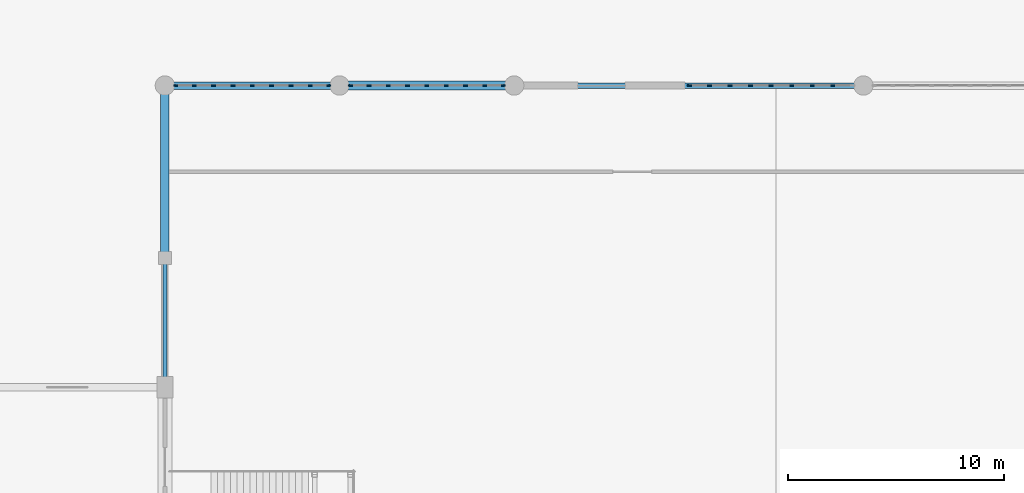
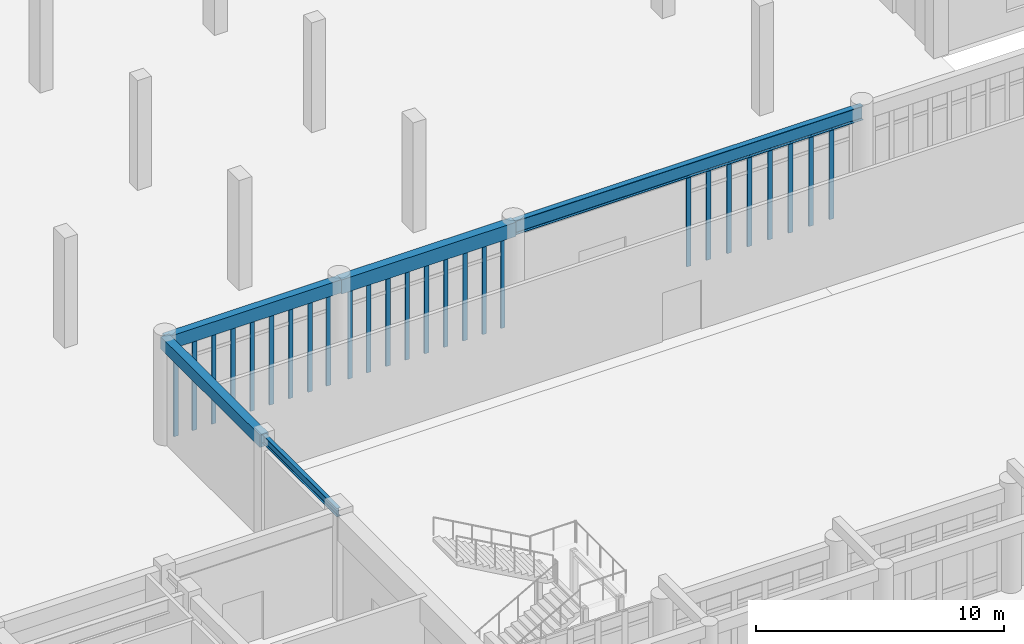
# One storey, part 10 of 62: 26 members, 5 beams, 3 elements without a shape of their own.
"""IFC4 building model written with IfcOpenShell, lengths in metres."""

from ifc_helpers import new_model, si_unit, direction, frame, origin, origin_2d, place, context, subcontext, project, spatial, rectangle, i_section, extrude, material, material_profile, profile_set, type_object, element, aggregate, save


model = new_model("IFC4")

# Units and contexts
model_context = context("Model", 3, precision=1e-05, world=origin(), true_north=direction((0.0, 1.0)))
body_context = subcontext(model_context, "Body", "Model", "MODEL_VIEW")
ifc_project = project(units=[si_unit("LENGTHUNIT", "METRE"), si_unit("AREAUNIT", "SQUARE_METRE"), si_unit("VOLUMEUNIT", "CUBIC_METRE"), si_unit("PLANEANGLEUNIT", "RADIAN"), si_unit("MASSUNIT", "GRAM", prefix="KILO")], contexts=[model_context])

# Site, building, storey
site_placement = place(None, origin())
site = spatial("IfcSite", under=ifc_project, at=site_placement, CompositionType="ELEMENT")
building_placement = place(site_placement, origin())
building = spatial("IfcBuilding", under=site, at=building_placement, Name="Tarnveldt Square Police Headquarters", CompositionType="ELEMENT")
storey_placement = place(building_placement, origin())
storey = spatial("IfcBuildingStorey", under=building, at=storey_placement, Name="L00", CompositionType="ELEMENT", Elevation=0.0)

# Beams
ifc_material_1 = material(Name="Concrete 40 MPa", Category="concrete")
ifc_material_profile_1 = material_profile(ifc_material_1, rectangle(XDim=0.39990234375, YDim=0.60009765625, at=origin_2d()), Name="RC-B400x600")
ifc_profile_set_1 = profile_set([ifc_material_profile_1], Name="Concrete 40 MPa")
beam_type_1 = type_object("IfcBeamType", Name="BM-RC400x600", PredefinedType="BEAM", material=ifc_profile_set_1)
beam_1_placement = place(storey_placement, frame((64.800048828125, 40.0, 4.820068359375), z_axis=(0.0, 1.0, 0.0), x_axis=(-1.0, 0.0, 0.0)))
element("IfcBeam", 1, at=beam_1_placement, inside=storey, type_object=beam_type_1, Name="L01 Grid Girder Y-0401", PredefinedType="BEAM", context=body_context, shape_type="SweptSolid", body=[
    extrude(rectangle(XDim=0.39990234375, YDim=0.60009765625, at=origin_2d()), origin(), (0.0, 0.0, 1.0), 8.0),
])
ifc_material_profile_2 = material_profile(ifc_material_1, rectangle(XDim=0.39990234375, YDim=0.699951171875, at=origin_2d()), Name="RC-B400x700")
ifc_profile_set_2 = profile_set([ifc_material_profile_2], Name="Concrete 40 MPa")
beam_type_2 = type_object("IfcBeamType", Name="BM-RC400x700", PredefinedType="BEAM", material=ifc_profile_set_2)
beam_2_placement = place(storey_placement, frame((72.89990234375, 48.0, 4.77001953125), z_axis=(1.0, 0.0, 0.0), x_axis=(0.0, 1.0, 0.0)))
element("IfcBeam", 2, at=beam_2_placement, inside=storey, type_object=beam_type_2, Name="L01 Grid Girder X-0275", PredefinedType="BEAM", context=body_context, shape_type="SweptSolid", body=[
    extrude(rectangle(XDim=0.39990234375, YDim=0.699951171875, at=origin_2d()), origin(), (0.0, 0.0, 1.0), 8.10009765625),
])
ifc_material_profile_3 = material_profile(ifc_material_1, rectangle(XDim=0.35009765625, YDim=0.64990234375, at=origin_2d()), Name="RC-SP350x650")
ifc_profile_set_3 = profile_set([ifc_material_profile_3], Name="Concrete 40 MPa")
beam_type_3 = type_object("IfcBeamType", Name="BM-SP350x650", PredefinedType="SPANDREL", material=ifc_profile_set_3)
beam_3_placement = place(storey_placement, frame((64.800048828125, 48.0, 4.794921875), z_axis=(1.0, 0.0, 0.0), x_axis=(0.0, 1.0, 0.0)))
element("IfcBeam", 3, at=beam_3_placement, inside=storey, type_object=beam_type_3, Name="L01 Grid Girder X-0274", PredefinedType="SPANDREL", context=body_context, shape_type="SweptSolid", body=[
    extrude(rectangle(XDim=0.35009765625, YDim=0.64990234375, at=origin_2d()), origin(), (0.0, 0.0, 1.0), 8.099853515625),
])
ifc_material_2 = material(Name="Steel 350W", Category="steel")
ifc_material_profile_4 = material_profile(ifc_material_2, i_section(OverallWidth=0.180908203125, OverallDepth=0.4169921875, WebThickness=0.010986328125, FlangeThickness=0.018310546875, FilletRadius=0.01611328125, at=origin_2d()), Name="W410x85")
ifc_profile_set_4 = profile_set([ifc_material_profile_4], Name="Steel 350W")
beam_type_4 = type_object("IfcBeamType", Name="BM-W410x85", PredefinedType="BEAM", material=ifc_profile_set_4)
beam_4_placement = place(storey_placement, frame((64.800048828125, 34.0, 4.91162109375), z_axis=(0.0, 1.0, 0.0), x_axis=(-1.0, 0.0, 0.0)))
element("IfcBeam", 4, at=beam_4_placement, inside=storey, type_object=beam_type_4, Name="L01 Grid Girder Y-0400", PredefinedType="BEAM", context=body_context, shape_type="SweptSolid", body=[
    extrude(i_section(OverallWidth=0.180908203125, OverallDepth=0.4169921875, WebThickness=0.010986328125, FlangeThickness=0.018310546875, FilletRadius=0.01611328125, at=origin_2d()), origin(), (0.0, 0.0, 1.0), 6.0),
])
ifc_material_profile_5 = material_profile(ifc_material_2, i_section(OverallWidth=0.25390625, OverallDepth=0.68798828125, WebThickness=0.01318359375, FlangeThickness=0.02099609375, FilletRadius=0.02001953125, at=origin_2d()), Name="W690x152")
ifc_profile_set_5 = profile_set([ifc_material_profile_5], Name="Steel 350W")
beam_type_5 = type_object("IfcBeamType", Name="BM-W690x152", PredefinedType="BEAM", material=ifc_profile_set_5)
beam_5_placement = place(storey_placement, frame((81.0, 48.0, 4.77587890625), z_axis=(1.0, 0.0, 0.0), x_axis=(0.0, 1.0, 0.0)))
element("IfcBeam", 5, at=beam_5_placement, inside=storey, type_object=beam_type_5, Name="L01 Grid Girder X-0276", PredefinedType="BEAM", context=body_context, shape_type="SweptSolid", body=[
    extrude(i_section(OverallWidth=0.25390625, OverallDepth=0.68798828125, WebThickness=0.01318359375, FlangeThickness=0.02099609375, FilletRadius=0.02001953125, at=origin_2d()), origin(), (0.0, 0.0, 1.0), 16.199951171875),
])

# Curtain wall, members
ifc_material_3 = material(Name="Triple-glazed low-e laminated vision glass", Category="glass")
curtain_wall_type_1 = type_object("IfcCurtainWallType", Name="CW-CT-717x446", PredefinedType="USERDEFINED", material=ifc_material_3)
curtain_wall_1_placement = place(storey_placement, origin())
curtain_wall_1 = element("IfcCurtainWall", 6, at=curtain_wall_1_placement, inside=storey, type_object=curtain_wall_type_1, Name="L00 Curtain Wall CW-L00-014", ObjectType="GLAZED CURTAIN WALL", PredefinedType="USERDEFINED")
ifc_material_4 = material(Name="Thermally broken anodised aluminium 6063-T6", Category="aluminium")
ifc_material_profile_6 = material_profile(ifc_material_4, rectangle(XDim=0.074951171875, YDim=0.199951171875, at=origin_2d()), Name="CW-M75x200")
ifc_profile_set_6 = profile_set([ifc_material_profile_6], Name="Thermally broken anodised aluminium 6063-T6")
member_type = type_object("IfcMemberType", Name="CWM-75x200", PredefinedType="MULLION", material=ifc_profile_set_6)
member_1_placement = place(storey_placement, frame((65.302490234375, 48.0, 0.0), z_axis=(0.0, 0.0, 1.0), x_axis=(0.0, 1.0, 0.0)))
member_1 = element("IfcMember", 7, at=member_1_placement, type_object=member_type, Name="CW-CT06 mullion 1", PredefinedType="MULLION", context=body_context, shape_type="SweptSolid", body=[
    extrude(rectangle(XDim=0.074951171875, YDim=0.199951171875, at=origin_2d()), origin(), (0.0, 0.0, 1.0), 4.4619140625),
])
member_2_placement = place(storey_placement, frame((66.1611328125, 48.0, 0.0), z_axis=(0.0, 0.0, 1.0), x_axis=(0.0, 1.0, 0.0)))
member_2 = element("IfcMember", 8, at=member_2_placement, type_object=member_type, Name="CW-CT06 mullion 2", PredefinedType="MULLION", context=body_context, shape_type="SweptSolid", body=[
    extrude(rectangle(XDim=0.074951171875, YDim=0.199951171875, at=origin_2d()), origin(), (0.0, 0.0, 1.0), 4.4619140625),
])
member_3_placement = place(storey_placement, frame((67.0576171875, 48.0, 0.0), z_axis=(0.0, 0.0, 1.0), x_axis=(0.0, 1.0, 0.0)))
member_3 = element("IfcMember", 9, at=member_3_placement, type_object=member_type, Name="CW-CT06 mullion 3", PredefinedType="MULLION", context=body_context, shape_type="SweptSolid", body=[
    extrude(rectangle(XDim=0.074951171875, YDim=0.199951171875, at=origin_2d()), origin(), (0.0, 0.0, 1.0), 4.4619140625),
])
member_4_placement = place(storey_placement, frame((67.953857421875, 48.0, 0.0), z_axis=(0.0, 0.0, 1.0), x_axis=(0.0, 1.0, 0.0)))
member_4 = element("IfcMember", 10, at=member_4_placement, type_object=member_type, Name="CW-CT06 mullion 4", PredefinedType="MULLION", context=body_context, shape_type="SweptSolid", body=[
    extrude(rectangle(XDim=0.074951171875, YDim=0.199951171875, at=origin_2d()), origin(), (0.0, 0.0, 1.0), 4.4619140625),
])
member_5_placement = place(storey_placement, frame((68.85009765625, 48.0, 0.0), z_axis=(0.0, 0.0, 1.0), x_axis=(0.0, 1.0, 0.0)))
member_5 = element("IfcMember", 11, at=member_5_placement, type_object=member_type, Name="CW-CT06 mullion 5", PredefinedType="MULLION", context=body_context, shape_type="SweptSolid", body=[
    extrude(rectangle(XDim=0.074951171875, YDim=0.199951171875, at=origin_2d()), origin(), (0.0, 0.0, 1.0), 4.4619140625),
])
member_6_placement = place(storey_placement, frame((69.746337890625, 48.0, 0.0), z_axis=(0.0, 0.0, 1.0), x_axis=(0.0, 1.0, 0.0)))
member_6 = element("IfcMember", 12, at=member_6_placement, type_object=member_type, Name="CW-CT06 mullion 6", PredefinedType="MULLION", context=body_context, shape_type="SweptSolid", body=[
    extrude(rectangle(XDim=0.074951171875, YDim=0.199951171875, at=origin_2d()), origin(), (0.0, 0.0, 1.0), 4.4619140625),
])
member_7_placement = place(storey_placement, frame((70.642578125, 48.0, 0.0), z_axis=(0.0, 0.0, 1.0), x_axis=(0.0, 1.0, 0.0)))
member_7 = element("IfcMember", 13, at=member_7_placement, type_object=member_type, Name="CW-CT06 mullion 7", PredefinedType="MULLION", context=body_context, shape_type="SweptSolid", body=[
    extrude(rectangle(XDim=0.074951171875, YDim=0.199951171875, at=origin_2d()), origin(), (0.0, 0.0, 1.0), 4.4619140625),
])
member_8_placement = place(storey_placement, frame((71.538818359375, 48.0, 0.0), z_axis=(0.0, 0.0, 1.0), x_axis=(0.0, 1.0, 0.0)))
member_8 = element("IfcMember", 14, at=member_8_placement, type_object=member_type, Name="CW-CT06 mullion 8", PredefinedType="MULLION", context=body_context, shape_type="SweptSolid", body=[
    extrude(rectangle(XDim=0.074951171875, YDim=0.199951171875, at=origin_2d()), origin(), (0.0, 0.0, 1.0), 4.4619140625),
])
member_9_placement = place(storey_placement, frame((72.3974609375, 48.0, 0.0), z_axis=(0.0, 0.0, 1.0), x_axis=(0.0, 1.0, 0.0)))
member_9 = element("IfcMember", 15, at=member_9_placement, type_object=member_type, Name="CW-CT06 mullion 9", PredefinedType="MULLION", context=body_context, shape_type="SweptSolid", body=[
    extrude(rectangle(XDim=0.074951171875, YDim=0.199951171875, at=origin_2d()), origin(), (0.0, 0.0, 1.0), 4.4619140625),
])
aggregate(curtain_wall_1, [member_1, member_2, member_3, member_4, member_5, member_6, member_7, member_8, member_9])

curtain_wall_type_2 = type_object("IfcCurtainWallType", Name="CW-CT-717x441", PredefinedType="USERDEFINED", material=ifc_material_3)
curtain_wall_2_placement = place(storey_placement, origin())
curtain_wall_2 = element("IfcCurtainWall", 16, at=curtain_wall_2_placement, inside=storey, type_object=curtain_wall_type_2, Name="L00 Curtain Wall CW-L00-015", ObjectType="GLAZED CURTAIN WALL", PredefinedType="USERDEFINED")
member_10_placement = place(storey_placement, frame((73.402587890625, 48.0, 0.0), z_axis=(0.0, 0.0, 1.0), x_axis=(0.0, 1.0, 0.0)))
member_10 = element("IfcMember", 17, at=member_10_placement, type_object=member_type, Name="CW-CT07 mullion 1", PredefinedType="MULLION", context=body_context, shape_type="SweptSolid", body=[
    extrude(rectangle(XDim=0.074951171875, YDim=0.199951171875, at=origin_2d()), origin(), (0.0, 0.0, 1.0), 4.412109375),
])
member_11_placement = place(storey_placement, frame((74.26123046875, 48.0, 0.0), z_axis=(0.0, 0.0, 1.0), x_axis=(0.0, 1.0, 0.0)))
member_11 = element("IfcMember", 18, at=member_11_placement, type_object=member_type, Name="CW-CT07 mullion 2", PredefinedType="MULLION", context=body_context, shape_type="SweptSolid", body=[
    extrude(rectangle(XDim=0.074951171875, YDim=0.199951171875, at=origin_2d()), origin(), (0.0, 0.0, 1.0), 4.412109375),
])
member_12_placement = place(storey_placement, frame((75.157470703125, 48.0, 0.0), z_axis=(0.0, 0.0, 1.0), x_axis=(0.0, 1.0, 0.0)))
member_12 = element("IfcMember", 19, at=member_12_placement, type_object=member_type, Name="CW-CT07 mullion 3", PredefinedType="MULLION", context=body_context, shape_type="SweptSolid", body=[
    extrude(rectangle(XDim=0.074951171875, YDim=0.199951171875, at=origin_2d()), origin(), (0.0, 0.0, 1.0), 4.412109375),
])
member_13_placement = place(storey_placement, frame((76.0537109375, 48.0, 0.0), z_axis=(0.0, 0.0, 1.0), x_axis=(0.0, 1.0, 0.0)))
member_13 = element("IfcMember", 20, at=member_13_placement, type_object=member_type, Name="CW-CT07 mullion 4", PredefinedType="MULLION", context=body_context, shape_type="SweptSolid", body=[
    extrude(rectangle(XDim=0.074951171875, YDim=0.199951171875, at=origin_2d()), origin(), (0.0, 0.0, 1.0), 4.412109375),
])
member_14_placement = place(storey_placement, frame((76.949951171875, 48.0, 0.0), z_axis=(0.0, 0.0, 1.0), x_axis=(0.0, 1.0, 0.0)))
member_14 = element("IfcMember", 21, at=member_14_placement, type_object=member_type, Name="CW-CT07 mullion 5", PredefinedType="MULLION", context=body_context, shape_type="SweptSolid", body=[
    extrude(rectangle(XDim=0.074951171875, YDim=0.199951171875, at=origin_2d()), origin(), (0.0, 0.0, 1.0), 4.412109375),
])
member_15_placement = place(storey_placement, frame((77.84619140625, 48.0, 0.0), z_axis=(0.0, 0.0, 1.0), x_axis=(0.0, 1.0, 0.0)))
member_15 = element("IfcMember", 22, at=member_15_placement, type_object=member_type, Name="CW-CT07 mullion 6", PredefinedType="MULLION", context=body_context, shape_type="SweptSolid", body=[
    extrude(rectangle(XDim=0.074951171875, YDim=0.199951171875, at=origin_2d()), origin(), (0.0, 0.0, 1.0), 4.412109375),
])
member_16_placement = place(storey_placement, frame((78.742431640625, 48.0, 0.0), z_axis=(0.0, 0.0, 1.0), x_axis=(0.0, 1.0, 0.0)))
member_16 = element("IfcMember", 23, at=member_16_placement, type_object=member_type, Name="CW-CT07 mullion 7", PredefinedType="MULLION", context=body_context, shape_type="SweptSolid", body=[
    extrude(rectangle(XDim=0.074951171875, YDim=0.199951171875, at=origin_2d()), origin(), (0.0, 0.0, 1.0), 4.412109375),
])
member_17_placement = place(storey_placement, frame((79.638671875, 48.0, 0.0), z_axis=(0.0, 0.0, 1.0), x_axis=(0.0, 1.0, 0.0)))
member_17 = element("IfcMember", 24, at=member_17_placement, type_object=member_type, Name="CW-CT07 mullion 8", PredefinedType="MULLION", context=body_context, shape_type="SweptSolid", body=[
    extrude(rectangle(XDim=0.074951171875, YDim=0.199951171875, at=origin_2d()), origin(), (0.0, 0.0, 1.0), 4.412109375),
])
member_18_placement = place(storey_placement, frame((80.49755859375, 48.0, 0.0), z_axis=(0.0, 0.0, 1.0), x_axis=(0.0, 1.0, 0.0)))
member_18 = element("IfcMember", 25, at=member_18_placement, type_object=member_type, Name="CW-CT07 mullion 9", PredefinedType="MULLION", context=body_context, shape_type="SweptSolid", body=[
    extrude(rectangle(XDim=0.074951171875, YDim=0.199951171875, at=origin_2d()), origin(), (0.0, 0.0, 1.0), 4.412109375),
])
aggregate(curtain_wall_2, [member_10, member_11, member_12, member_13, member_14, member_15, member_16, member_17, member_18])

curtain_wall_type_3 = type_object("IfcCurtainWallType", Name="CW-CT-764x442", PredefinedType="USERDEFINED", material=ifc_material_3)
curtain_wall_3_placement = place(storey_placement, origin())
curtain_wall_3 = element("IfcCurtainWall", 26, at=curtain_wall_3_placement, inside=storey, type_object=curtain_wall_type_3, Name="L00 Curtain Wall CW-L00-016", ObjectType="GLAZED CURTAIN WALL", PredefinedType="USERDEFINED")
member_19_placement = place(storey_placement, frame((89.137451171875, 48.0, 0.0), z_axis=(0.0, 0.0, 1.0), x_axis=(0.0, 1.0, 0.0)))
member_19 = element("IfcMember", 27, at=member_19_placement, type_object=member_type, Name="CW-CT08 mullion 1", PredefinedType="MULLION", context=body_context, shape_type="SweptSolid", body=[
    extrude(rectangle(XDim=0.074951171875, YDim=0.199951171875, at=origin_2d()), origin(), (0.0, 0.0, 1.0), 4.424072265625),
])
member_20_placement = place(storey_placement, frame((90.054443359375, 48.0, 0.0), z_axis=(0.0, 0.0, 1.0), x_axis=(0.0, 1.0, 0.0)))
member_20 = element("IfcMember", 28, at=member_20_placement, type_object=member_type, Name="CW-CT08 mullion 2", PredefinedType="MULLION", context=body_context, shape_type="SweptSolid", body=[
    extrude(rectangle(XDim=0.074951171875, YDim=0.199951171875, at=origin_2d()), origin(), (0.0, 0.0, 1.0), 4.424072265625),
])
member_21_placement = place(storey_placement, frame((91.0087890625, 48.0, 0.0), z_axis=(0.0, 0.0, 1.0), x_axis=(0.0, 1.0, 0.0)))
member_21 = element("IfcMember", 29, at=member_21_placement, type_object=member_type, Name="CW-CT08 mullion 3", PredefinedType="MULLION", context=body_context, shape_type="SweptSolid", body=[
    extrude(rectangle(XDim=0.074951171875, YDim=0.199951171875, at=origin_2d()), origin(), (0.0, 0.0, 1.0), 4.424072265625),
])
member_22_placement = place(storey_placement, frame((91.963134765625, 48.0, 0.0), z_axis=(0.0, 0.0, 1.0), x_axis=(0.0, 1.0, 0.0)))
member_22 = element("IfcMember", 30, at=member_22_placement, type_object=member_type, Name="CW-CT08 mullion 4", PredefinedType="MULLION", context=body_context, shape_type="SweptSolid", body=[
    extrude(rectangle(XDim=0.074951171875, YDim=0.199951171875, at=origin_2d()), origin(), (0.0, 0.0, 1.0), 4.424072265625),
])
member_23_placement = place(storey_placement, frame((92.91748046875, 48.0, 0.0), z_axis=(0.0, 0.0, 1.0), x_axis=(0.0, 1.0, 0.0)))
member_23 = element("IfcMember", 31, at=member_23_placement, type_object=member_type, Name="CW-CT08 mullion 5", PredefinedType="MULLION", context=body_context, shape_type="SweptSolid", body=[
    extrude(rectangle(XDim=0.074951171875, YDim=0.199951171875, at=origin_2d()), origin(), (0.0, 0.0, 1.0), 4.424072265625),
])
member_24_placement = place(storey_placement, frame((93.871826171875, 48.0, 0.0), z_axis=(0.0, 0.0, 1.0), x_axis=(0.0, 1.0, 0.0)))
member_24 = element("IfcMember", 32, at=member_24_placement, type_object=member_type, Name="CW-CT08 mullion 6", PredefinedType="MULLION", context=body_context, shape_type="SweptSolid", body=[
    extrude(rectangle(XDim=0.074951171875, YDim=0.199951171875, at=origin_2d()), origin(), (0.0, 0.0, 1.0), 4.424072265625),
])
member_25_placement = place(storey_placement, frame((94.826171875, 48.0, 0.0), z_axis=(0.0, 0.0, 1.0), x_axis=(0.0, 1.0, 0.0)))
member_25 = element("IfcMember", 33, at=member_25_placement, type_object=member_type, Name="CW-CT08 mullion 7", PredefinedType="MULLION", context=body_context, shape_type="SweptSolid", body=[
    extrude(rectangle(XDim=0.074951171875, YDim=0.199951171875, at=origin_2d()), origin(), (0.0, 0.0, 1.0), 4.424072265625),
])
member_26_placement = place(storey_placement, frame((95.780517578125, 48.0, 0.0), z_axis=(0.0, 0.0, 1.0), x_axis=(0.0, 1.0, 0.0)))
member_26 = element("IfcMember", 34, at=member_26_placement, type_object=member_type, Name="CW-CT08 mullion 8", PredefinedType="MULLION", context=body_context, shape_type="SweptSolid", body=[
    extrude(rectangle(XDim=0.074951171875, YDim=0.199951171875, at=origin_2d()), origin(), (0.0, 0.0, 1.0), 4.424072265625),
])
aggregate(curtain_wall_3, [member_19, member_20, member_21, member_22, member_23, member_24, member_25, member_26])

save(model, "model.ifc")
